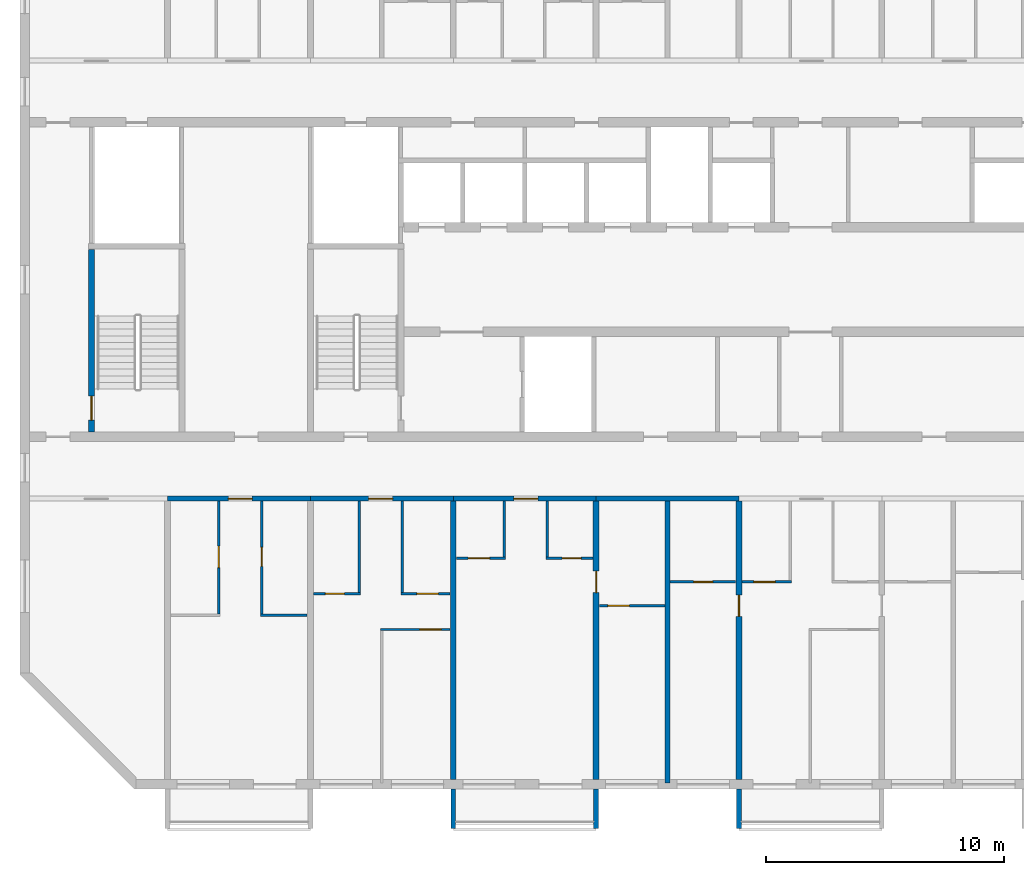
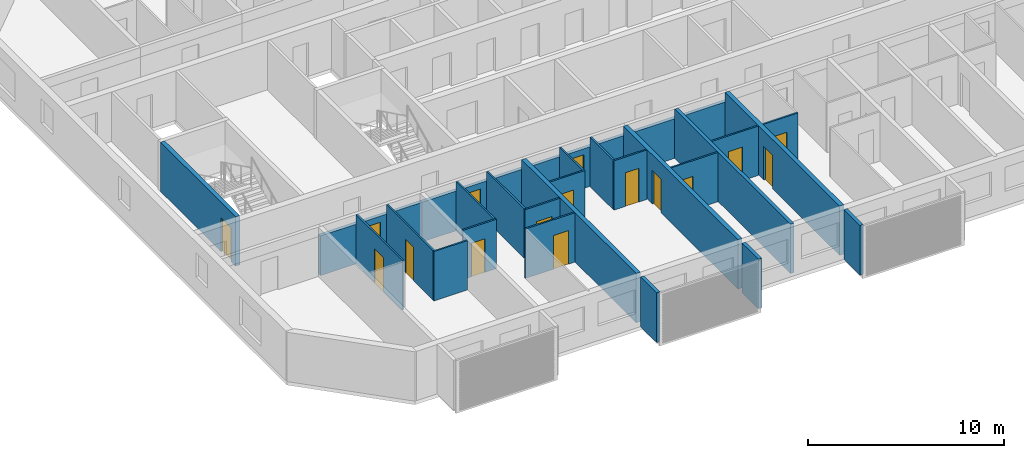
# One storey, part 2 of 26: 27 walls, 16 doors, 16 openings.
"""IFC4 building model written with IfcOpenShell, lengths in metres."""

from ifc_helpers import new_model, si_unit, direction, frame, frame_2d, origin, place, context, subcontext, project, spatial, polyline, rectangle, outline, extrude, source, transform, mapped, material, layer, layer_set, type_object, element, fill, save


model = new_model("IFC4")

# Units and contexts
model_context = context("Model", 3, precision=1e-05, world=origin(), true_north=direction((0.0, 1.0)))
body_context = subcontext(model_context, "Body", "Model", "MODEL_VIEW")
ifc_project = project(units=[si_unit("LENGTHUNIT", "METRE"), si_unit("AREAUNIT", "SQUARE_METRE"), si_unit("VOLUMEUNIT", "CUBIC_METRE"), si_unit("PLANEANGLEUNIT", "RADIAN"), si_unit("MASSUNIT", "GRAM", prefix="KILO")], contexts=[model_context])

# Site, building, storey
site_placement = place(None, origin())
site = spatial("IfcSite", under=ifc_project, at=site_placement, CompositionType="ELEMENT")
building_placement = place(site_placement, origin())
building = spatial("IfcBuilding", under=site, at=building_placement, Name="Poui Terraces", CompositionType="ELEMENT")
storey_placement = place(building_placement, frame((0.0, 0.0, 171.89990234375)))
storey = spatial("IfcBuildingStorey", under=building, at=storey_placement, Name="L47", CompositionType="ELEMENT", Elevation=171.89990234375)

# Wall, opening, door
ifc_material_1 = material(Name="Concrete 50 MPa", Category="concrete")
ifc_layer_1 = layer(ifc_material_1, 0.199951171875)
ifc_layer_set_1 = layer_set([ifc_layer_1], Name="Concrete 50 MPa")
wall_type_1 = type_object("IfcWallType", Name="CORRIDOR WALL 200 50MPa", PredefinedType="SHEAR", material=ifc_layer_set_1)
wall_1_placement = place(storey_placement, frame((24.0, 12.0, 0.0), z_axis=(0.0, 0.0, 1.0), x_axis=(1.0, 0.0, 0.0)))
wall_1 = element("IfcWall", 1, at=wall_1_placement, inside=storey, type_object=wall_type_1, Name="CORRIDOR WALL LINE B BAY 2", PredefinedType="SHEAR", context=body_context, shape_type="SweptSolid", body=[
    extrude(rectangle(XDim=6.0, YDim=0.199951171875, at=frame_2d((3.0, 0.0))), origin(), (0.0, 0.0, 1.0), 2.47998046875),
])
opening_1_placement = place(wall_1_placement, frame((2.550048828125, 0.0, 0.0)))
opening_1 = element("IfcOpeningElement", 2, at=opening_1_placement, cuts=wall_1, Name="Opening FD30S", PredefinedType="OPENING", context=body_context, shape_type="SweptSolid", body=[
    extrude(rectangle(XDim=1.0, YDim=2.10009765625, at=frame_2d((0.5, 1.050048828125))), frame((0.0, 0.10986328125, 0.0), z_axis=(0.0, -1.0, 0.0), x_axis=(1.0, 0.0, 0.0)), (0.0, 0.0, 1.0), 0.219970703125),
])
ifc_material_2 = material(Name="Steel fire door", Category="steel")
door_type_1 = type_object("IfcDoorType", Name="FLAT ENTRANCE DOOR 1000 X 2100", OperationType="NOTDEFINED", PredefinedType="DOOR", material=ifc_material_2)
door_1_placement = place(opening_1_placement, frame((1.0, 0.0, 0.0), z_axis=(0.0, 0.0, 1.0), x_axis=(-1.0, 0.0, 0.0)))
door_1 = element("IfcDoor", 3, at=door_1_placement, inside=storey, type_object=door_type_1, Name="FLAT ENTRANCE DOOR 064", OperationType="SINGLE_SWING_LEFT", OverallHeight=2.10009765625, OverallWidth=1.0, PredefinedType="DOOR", context=body_context, shape_type="SweptSolid", body=[
    extrude(rectangle(XDim=1.0, YDim=2.10009765625, at=frame_2d((0.5, 1.050048828125))), frame((0.0, 0.02490234375, 0.0), z_axis=(0.0, -1.0, 0.0), x_axis=(1.0, 0.0, 0.0)), (0.0, 0.0, 1.0), 0.050048828125),
])
fill(opening_1, door_1)

wall_2_placement = place(storey_placement, frame((30.0, 12.0, 0.0), z_axis=(0.0, 0.0, 1.0), x_axis=(1.0, 0.0, 0.0)))
wall_2 = element("IfcWall", 4, at=wall_2_placement, inside=storey, type_object=wall_type_1, Name="CORRIDOR WALL LINE B BAY 3", PredefinedType="SHEAR", context=body_context, shape_type="SweptSolid", body=[
    extrude(rectangle(XDim=6.0, YDim=0.199951171875, at=frame_2d((3.0, 0.0))), origin(), (0.0, 0.0, 1.0), 2.47998046875),
])
opening_2_placement = place(wall_2_placement, frame((2.449951171875, 0.0, 0.0)))
opening_2 = element("IfcOpeningElement", 5, at=opening_2_placement, cuts=wall_2, Name="Opening FD30S", PredefinedType="OPENING", context=body_context, shape_type="SweptSolid", body=[
    extrude(rectangle(XDim=1.0, YDim=2.10009765625, at=frame_2d((0.5, 1.050048828125))), frame((0.0, 0.10986328125, 0.0), z_axis=(0.0, -1.0, 0.0), x_axis=(1.0, 0.0, 0.0)), (0.0, 0.0, 1.0), 0.219970703125),
])
door_2_placement = place(opening_2_placement, frame((1.0, 0.0, 0.0), z_axis=(0.0, 0.0, 1.0), x_axis=(-1.0, 0.0, 0.0)))
door_2 = element("IfcDoor", 6, at=door_2_placement, inside=storey, type_object=door_type_1, Name="FLAT ENTRANCE DOOR 067", OperationType="SINGLE_SWING_RIGHT", OverallHeight=2.10009765625, OverallWidth=1.0, PredefinedType="DOOR", context=body_context, shape_type="SweptSolid", body=[
    extrude(rectangle(XDim=1.0, YDim=2.10009765625, at=frame_2d((0.5, 1.050048828125))), frame((0.0, 0.02490234375, 0.0), z_axis=(0.0, -1.0, 0.0), x_axis=(1.0, 0.0, 0.0)), (0.0, 0.0, 1.0), 0.050048828125),
])
fill(opening_2, door_2)

wall_3_placement = place(storey_placement, frame((36.0, 12.0, 0.0), z_axis=(0.0, 0.0, 1.0), x_axis=(1.0, 0.0, 0.0)))
wall_3 = element("IfcWall", 7, at=wall_3_placement, inside=storey, type_object=wall_type_1, Name="CORRIDOR WALL LINE B BAY 4", PredefinedType="SHEAR", context=body_context, shape_type="SweptSolid", body=[
    extrude(rectangle(XDim=6.0, YDim=0.199951171875, at=frame_2d((3.0, 0.0))), origin(), (0.0, 0.0, 1.0), 2.47998046875),
])
opening_3_placement = place(wall_3_placement, frame((2.550048828125, 0.0, 0.0)))
opening_3 = element("IfcOpeningElement", 8, at=opening_3_placement, cuts=wall_3, Name="Opening FD30S", PredefinedType="OPENING", context=body_context, shape_type="SweptSolid", body=[
    extrude(rectangle(XDim=1.0, YDim=2.10009765625, at=frame_2d((0.5, 1.050048828125))), frame((0.0, 0.10986328125, 0.0), z_axis=(0.0, -1.0, 0.0), x_axis=(1.0, 0.0, 0.0)), (0.0, 0.0, 1.0), 0.219970703125),
])
door_3_placement = place(opening_3_placement, frame((1.0, 0.0, 0.0), z_axis=(0.0, 0.0, 1.0), x_axis=(-1.0, 0.0, 0.0)))
door_3 = element("IfcDoor", 9, at=door_3_placement, inside=storey, type_object=door_type_1, Name="FLAT ENTRANCE DOOR 072", OperationType="SINGLE_SWING_LEFT", OverallHeight=2.10009765625, OverallWidth=1.0, PredefinedType="DOOR", context=body_context, shape_type="SweptSolid", body=[
    extrude(rectangle(XDim=1.0, YDim=2.10009765625, at=frame_2d((0.5, 1.050048828125))), frame((0.0, 0.02490234375, 0.0), z_axis=(0.0, -1.0, 0.0), x_axis=(1.0, 0.0, 0.0)), (0.0, 0.0, 1.0), 0.050048828125),
])
fill(opening_3, door_3)

# Walls
wall_4_placement = place(storey_placement, frame((42.0, 12.0, 0.0), z_axis=(0.0, 0.0, 1.0), x_axis=(1.0, 0.0, 0.0)))
element("IfcWall", 10, at=wall_4_placement, inside=storey, type_object=wall_type_1, Name="CORRIDOR WALL LINE B BAY 5", PredefinedType="SHEAR", context=body_context, shape_type="SweptSolid", body=[
    extrude(rectangle(XDim=6.0, YDim=0.199951171875, at=frame_2d((3.0, 0.0))), origin(), (0.0, 0.0, 1.0), 2.47998046875),
])
ifc_layer_2 = layer(ifc_material_1, 0.25)
ifc_layer_set_2 = layer_set([ifc_layer_2], Name="Concrete 50 MPa")
wall_type_2 = type_object("IfcWallType", Name="CROSS WALL 250 50MPa", PredefinedType="SHEAR", material=ifc_layer_set_2)
wall_5_placement = place(storey_placement, frame((36.0, 0.199951171875, 0.0), z_axis=(0.0, 0.0, 1.0), x_axis=(0.0, 1.0, 0.0)))
element("IfcWall", 11, at=wall_5_placement, inside=storey, type_object=wall_type_2, Name="CROSS WALL LINE 7 SOUTH", PredefinedType="SHEAR", context=body_context, shape_type="SweptSolid", body=[
    extrude(rectangle(XDim=11.699951171875, YDim=0.25, at=frame_2d((5.85009765625, 0.0))), origin(), (0.0, 0.0, 1.0), 3.080078125),
])

# Wall, opening, door
wall_6_placement = place(storey_placement, frame((42.0, 0.199951171875, 0.0), z_axis=(0.0, 0.0, 1.0), x_axis=(0.0, 1.0, 0.0)))
wall_6 = element("IfcWall", 12, at=wall_6_placement, inside=storey, type_object=wall_type_2, Name="CROSS WALL LINE 8 SOUTH", PredefinedType="SHEAR", context=body_context, shape_type="SweptSolid", body=[
    extrude(rectangle(XDim=11.699951171875, YDim=0.25, at=frame_2d((5.85009765625, 0.0))), origin(), (0.0, 0.0, 1.0), 3.080078125),
])
opening_4_placement = place(wall_6_placement, frame((7.85009765625, 0.0, 0.0)))
opening_4 = element("IfcOpeningElement", 13, at=opening_4_placement, cuts=wall_6, Name="Opening D90", PredefinedType="OPENING", context=body_context, shape_type="SweptSolid", body=[
    extrude(rectangle(XDim=0.89990234375, YDim=2.10009765625, at=frame_2d((0.449951171875, 1.050048828125))), frame((0.0, 0.135009765625, 0.0), z_axis=(0.0, -1.0, 0.0), x_axis=(1.0, 0.0, 0.0)), (0.0, 0.0, 1.0), 0.27001953125),
])
ifc_material_3 = material(Name="Solid core timber door", Category="wood")
door_type_2 = type_object("IfcDoorType", Name="INTERNAL DOOR 900 X 2100", OperationType="NOTDEFINED", PredefinedType="DOOR", material=ifc_material_3)
door_4_placement = place(opening_4_placement, origin())
door_4 = element("IfcDoor", 14, at=door_4_placement, inside=storey, type_object=door_type_2, Name="INTERNAL DOOR 074", OperationType="SINGLE_SWING_RIGHT", OverallHeight=2.10009765625, OverallWidth=0.89990234375, PredefinedType="DOOR", context=body_context, shape_type="SweptSolid", body=[
    extrude(rectangle(XDim=0.89990234375, YDim=2.10009765625, at=frame_2d((0.449951171875, 1.050048828125))), frame((0.0, 0.02490234375, 0.0), z_axis=(0.0, -1.0, 0.0), x_axis=(1.0, 0.0, 0.0)), (0.0, 0.0, 1.0), 0.050048828125),
])
fill(opening_4, door_4)

wall_7_placement = place(storey_placement, frame((48.0, 0.199951171875, 0.0), z_axis=(0.0, 0.0, 1.0), x_axis=(0.0, 1.0, 0.0)))
wall_7 = element("IfcWall", 15, at=wall_7_placement, inside=storey, type_object=wall_type_2, Name="CROSS WALL LINE 9 SOUTH", PredefinedType="SHEAR", context=body_context, shape_type="SweptSolid", body=[
    extrude(rectangle(XDim=11.699951171875, YDim=0.25, at=frame_2d((5.85009765625, 0.0))), origin(), (0.0, 0.0, 1.0), 3.080078125),
])
opening_5_placement = place(wall_7_placement, frame((6.85009765625, 0.0, 0.0)))
opening_5 = element("IfcOpeningElement", 16, at=opening_5_placement, cuts=wall_7, Name="Opening D90", PredefinedType="OPENING", context=body_context, shape_type="SweptSolid", body=[
    extrude(rectangle(XDim=0.89990234375, YDim=2.10009765625, at=frame_2d((0.449951171875, 1.050048828125))), frame((0.0, 0.135009765625, 0.0), z_axis=(0.0, -1.0, 0.0), x_axis=(1.0, 0.0, 0.0)), (0.0, 0.0, 1.0), 0.27001953125),
])
door_5_placement = place(opening_5_placement, origin())
door_5 = element("IfcDoor", 17, at=door_5_placement, inside=storey, type_object=door_type_2, Name="INTERNAL DOOR 077", OperationType="SINGLE_SWING_RIGHT", OverallHeight=2.10009765625, OverallWidth=0.89990234375, PredefinedType="DOOR", context=body_context, shape_type="SweptSolid", body=[
    extrude(rectangle(XDim=0.89990234375, YDim=2.10009765625, at=frame_2d((0.449951171875, 1.050048828125))), frame((0.0, 0.02490234375, 0.0), z_axis=(0.0, -1.0, 0.0), x_axis=(1.0, 0.0, 0.0)), (0.0, 0.0, 1.0), 0.050048828125),
])
fill(opening_5, door_5)

ifc_material_4 = material(Name="Plasterboard partition")
ifc_layer_3 = layer(ifc_material_4, 0.10009765625)
ifc_layer_set_3 = layer_set([ifc_layer_3], Name="Plasterboard partition")
wall_type_3 = type_object("IfcWallType", Name="FLAT PARTITION 100", PredefinedType="PARTITIONING", material=ifc_layer_set_3)
wall_8_placement = place(storey_placement, frame((32.949951171875, 6.5, 0.0), z_axis=(0.0, 0.0, 1.0), x_axis=(1.0, 0.0, 0.0)))
wall_8 = element("IfcWall", 18, at=wall_8_placement, inside=storey, type_object=wall_type_3, Name="FLAT PARTITION 100", PredefinedType="PARTITIONING", context=body_context, shape_type="SweptSolid", body=[
    extrude(rectangle(XDim=2.9150390625, YDim=0.10009765625, at=frame_2d((1.45751953125, 0.0))), origin(), (0.0, 0.0, 1.0), 3.080078125),
])
opening_6_placement = place(wall_8_placement, frame((1.64990234375, 0.0, 0.0)))
opening_6 = element("IfcOpeningElement", 19, at=opening_6_placement, cuts=wall_8, Name="Opening D90", PredefinedType="OPENING", context=body_context, shape_type="SweptSolid", body=[
    extrude(rectangle(XDim=0.89990234375, YDim=2.10009765625, at=frame_2d((0.449951171875, 1.050048828125))), frame((0.0, 0.06005859375, 0.0), z_axis=(0.0, -1.0, 0.0), x_axis=(1.0, 0.0, 0.0)), (0.0, 0.0, 1.0), 0.1201171875),
])
door_6_placement = place(opening_6_placement, origin())
door_6 = element("IfcDoor", 20, at=door_6_placement, inside=storey, type_object=door_type_2, Name="INTERNAL DOOR 069", OperationType="SINGLE_SWING_LEFT", OverallHeight=2.10009765625, OverallWidth=0.89990234375, PredefinedType="DOOR", context=body_context, shape_type="SweptSolid", body=[
    extrude(rectangle(XDim=0.89990234375, YDim=2.10009765625, at=frame_2d((0.449951171875, 1.050048828125))), frame((0.0, 0.02490234375, 0.0), z_axis=(0.0, -1.0, 0.0), x_axis=(1.0, 0.0, 0.0)), (0.0, 0.0, 1.0), 0.050048828125),
])
fill(opening_6, door_6)

# Wall
wall_9_placement = place(storey_placement, frame((27.89990234375, 7.10009765625, 0.0), z_axis=(0.0, 0.0, 1.0), x_axis=(1.0, 0.0, 0.0)))
element("IfcWall", 21, at=wall_9_placement, inside=storey, type_object=wall_type_3, Name="FLAT PARTITION 100", PredefinedType="PARTITIONING", context=body_context, shape_type="SweptSolid", body=[
    extrude(rectangle(XDim=1.965087890625, YDim=0.10009765625, at=frame_2d((0.982421875, 0.0))), origin(), (0.0, 0.0, 1.0), 3.080078125),
])

# Wall, opening, door
wall_10_placement = place(storey_placement, frame((42.135009765625, 7.5, 0.0), z_axis=(0.0, 0.0, 1.0), x_axis=(1.0, 0.0, 0.0)))
wall_10 = element("IfcWall", 22, at=wall_10_placement, inside=storey, type_object=wall_type_3, Name="FLAT PARTITION 100", PredefinedType="PARTITIONING", context=body_context, shape_type="SweptSolid", body=[
    extrude(rectangle(XDim=2.764892578125, YDim=0.10009765625, at=frame_2d((1.38232421875, 0.0))), origin(), (0.0, 0.0, 1.0), 3.080078125),
])
opening_7_placement = place(wall_10_placement, frame((0.364990234375, 0.0, 0.0)))
opening_7 = element("IfcOpeningElement", 23, at=opening_7_placement, cuts=wall_10, Name="Opening D90", PredefinedType="OPENING", context=body_context, shape_type="SweptSolid", body=[
    extrude(rectangle(XDim=0.89990234375, YDim=2.10009765625, at=frame_2d((0.449951171875, 1.050048828125))), frame((0.0, 0.06005859375, 0.0), z_axis=(0.0, -1.0, 0.0), x_axis=(1.0, 0.0, 0.0)), (0.0, 0.0, 1.0), 0.1201171875),
])
door_7_placement = place(opening_7_placement, frame((0.89990234375, 0.0, 0.0), z_axis=(0.0, 0.0, 1.0), x_axis=(-1.0, 0.0, 0.0)))
door_7 = element("IfcDoor", 24, at=door_7_placement, inside=storey, type_object=door_type_2, Name="INTERNAL DOOR 070", OperationType="SINGLE_SWING_RIGHT", OverallHeight=2.10009765625, OverallWidth=0.89990234375, PredefinedType="DOOR", context=body_context, shape_type="SweptSolid", body=[
    extrude(rectangle(XDim=0.89990234375, YDim=2.10009765625, at=frame_2d((0.449951171875, 1.050048828125))), frame((0.0, 0.02490234375, 0.0), z_axis=(0.0, -1.0, 0.0), x_axis=(1.0, 0.0, 0.0)), (0.0, 0.0, 1.0), 0.050048828125),
])
fill(opening_7, door_7)

wall_11_placement = place(storey_placement, frame((30.135009765625, 8.0, 0.0), z_axis=(0.0, 0.0, 1.0), x_axis=(1.0, 0.0, 0.0)))
wall_11 = element("IfcWall", 25, at=wall_11_placement, inside=storey, type_object=wall_type_3, Name="FLAT PARTITION 100", PredefinedType="PARTITIONING", context=body_context, shape_type="SweptSolid", body=[
    extrude(rectangle(XDim=1.965087890625, YDim=0.10009765625, at=frame_2d((0.982421875, 0.0))), origin(), (0.0, 0.0, 1.0), 3.080078125),
])
opening_8_placement = place(wall_11_placement, frame((0.489990234375, 0.0, 0.0)))
opening_8 = element("IfcOpeningElement", 26, at=opening_8_placement, cuts=wall_11, Name="Opening D80", PredefinedType="OPENING", context=body_context, shape_type="SweptSolid", body=[
    extrude(rectangle(XDim=0.800048828125, YDim=2.10009765625, at=frame_2d((0.39990234375, 1.050048828125))), frame((0.0, 0.06005859375, 0.0), z_axis=(0.0, -1.0, 0.0), x_axis=(1.0, 0.0, 0.0)), (0.0, 0.0, 1.0), 0.1201171875),
])
door_type_3 = type_object("IfcDoorType", Name="BATHROOM, LAUNDRY AND STORE DOOR 800 X 2100", OperationType="NOTDEFINED", PredefinedType="DOOR", material=ifc_material_3)
door_8_placement = place(opening_8_placement, origin())
door_8 = element("IfcDoor", 27, at=door_8_placement, inside=storey, type_object=door_type_3, Name="BATHROOM, LAUNDRY AND STORE DOOR 066", OperationType="SINGLE_SWING_LEFT", OverallHeight=2.10009765625, OverallWidth=0.800048828125, PredefinedType="DOOR", context=body_context, shape_type="SweptSolid", body=[
    extrude(rectangle(XDim=0.800048828125, YDim=2.10009765625, at=frame_2d((0.39990234375, 1.050048828125))), frame((0.0, 0.02490234375, 0.0), z_axis=(0.0, -1.0, 0.0), x_axis=(1.0, 0.0, 0.0)), (0.0, 0.0, 1.0), 0.050048828125),
])
fill(opening_8, door_8)

wall_12_placement = place(storey_placement, frame((33.800048828125, 8.0, 0.0), z_axis=(0.0, 0.0, 1.0), x_axis=(1.0, 0.0, 0.0)))
wall_12 = element("IfcWall", 28, at=wall_12_placement, inside=storey, type_object=wall_type_3, Name="FLAT PARTITION 100", PredefinedType="PARTITIONING", context=body_context, shape_type="SweptSolid", body=[
    extrude(rectangle(XDim=2.06494140625, YDim=0.10009765625, at=frame_2d((1.032470703125, 0.0))), origin(), (0.0, 0.0, 1.0), 3.080078125),
])
opening_9_placement = place(wall_12_placement, frame((0.675048828125, 0.0, 0.0)))
opening_9 = element("IfcOpeningElement", 29, at=opening_9_placement, cuts=wall_12, Name="Opening D90", PredefinedType="OPENING", context=body_context, shape_type="SweptSolid", body=[
    extrude(rectangle(XDim=0.89990234375, YDim=2.10009765625, at=frame_2d((0.449951171875, 1.050048828125))), frame((0.0, 0.06005859375, 0.0), z_axis=(0.0, -1.0, 0.0), x_axis=(1.0, 0.0, 0.0)), (0.0, 0.0, 1.0), 0.1201171875),
])
door_9_placement = place(opening_9_placement, origin())
door_9 = element("IfcDoor", 30, at=door_9_placement, inside=storey, type_object=door_type_2, Name="INTERNAL DOOR 068", OperationType="SINGLE_SWING_RIGHT", OverallHeight=2.10009765625, OverallWidth=0.89990234375, PredefinedType="DOOR", context=body_context, shape_type="SweptSolid", body=[
    extrude(rectangle(XDim=0.89990234375, YDim=2.10009765625, at=frame_2d((0.449951171875, 1.050048828125))), frame((0.0, 0.02490234375, 0.0), z_axis=(0.0, -1.0, 0.0), x_axis=(1.0, 0.0, 0.0)), (0.0, 0.0, 1.0), 0.050048828125),
])
fill(opening_9, door_9)

wall_13_placement = place(storey_placement, frame((45.10009765625, 8.5, 0.0), z_axis=(0.0, 0.0, 1.0), x_axis=(1.0, 0.0, 0.0)))
wall_13 = element("IfcWall", 31, at=wall_13_placement, inside=storey, type_object=wall_type_3, Name="FLAT PARTITION 100", PredefinedType="PARTITIONING", context=body_context, shape_type="SweptSolid", body=[
    extrude(rectangle(XDim=2.764892578125, YDim=0.10009765625, at=frame_2d((1.38232421875, 0.0))), origin(), (0.0, 0.0, 1.0), 3.080078125),
])
opening_10_placement = place(wall_13_placement, frame((1.0, 0.0, 0.0)))
opening_10 = element("IfcOpeningElement", 32, at=opening_10_placement, cuts=wall_13, Name="Opening D80", PredefinedType="OPENING", context=body_context, shape_type="SweptSolid", body=[
    extrude(rectangle(XDim=0.800048828125, YDim=2.10009765625, at=frame_2d((0.39990234375, 1.050048828125))), frame((0.0, 0.06005859375, 0.0), z_axis=(0.0, -1.0, 0.0), x_axis=(1.0, 0.0, 0.0)), (0.0, 0.0, 1.0), 0.1201171875),
])
door_10_placement = place(opening_10_placement, origin())
door_10 = element("IfcDoor", 33, at=door_10_placement, inside=storey, type_object=door_type_3, Name="BATHROOM, LAUNDRY AND STORE DOOR 075", OperationType="SINGLE_SWING_LEFT", OverallHeight=2.10009765625, OverallWidth=0.800048828125, PredefinedType="DOOR", context=body_context, shape_type="SweptSolid", body=[
    extrude(rectangle(XDim=0.800048828125, YDim=2.10009765625, at=frame_2d((0.39990234375, 1.050048828125))), frame((0.0, 0.02490234375, 0.0), z_axis=(0.0, -1.0, 0.0), x_axis=(1.0, 0.0, 0.0)), (0.0, 0.0, 1.0), 0.050048828125),
])
fill(opening_10, door_10)

wall_14_placement = place(storey_placement, frame((48.135009765625, 8.5, 0.0), z_axis=(0.0, 0.0, 1.0), x_axis=(1.0, 0.0, 0.0)))
wall_14 = element("IfcWall", 34, at=wall_14_placement, inside=storey, type_object=wall_type_3, Name="FLAT PARTITION 100", PredefinedType="PARTITIONING", context=body_context, shape_type="SweptSolid", body=[
    extrude(rectangle(XDim=2.06494140625, YDim=0.10009765625, at=frame_2d((1.032470703125, 0.0))), origin(), (0.0, 0.0, 1.0), 3.080078125),
])
opening_11_placement = place(wall_14_placement, frame((0.489990234375, 0.0, 0.0)))
opening_11 = element("IfcOpeningElement", 35, at=opening_11_placement, cuts=wall_14, Name="Opening D90", PredefinedType="OPENING", context=body_context, shape_type="SweptSolid", body=[
    extrude(rectangle(XDim=0.89990234375, YDim=2.10009765625, at=frame_2d((0.449951171875, 1.050048828125))), frame((0.0, 0.06005859375, 0.0), z_axis=(0.0, -1.0, 0.0), x_axis=(1.0, 0.0, 0.0)), (0.0, 0.0, 1.0), 0.1201171875),
])
door_11_placement = place(opening_11_placement, origin())
door_11 = element("IfcDoor", 36, at=door_11_placement, inside=storey, type_object=door_type_2, Name="INTERNAL DOOR 078", OperationType="SINGLE_SWING_LEFT", OverallHeight=2.10009765625, OverallWidth=0.89990234375, PredefinedType="DOOR", context=body_context, shape_type="SweptSolid", body=[
    extrude(rectangle(XDim=0.89990234375, YDim=2.10009765625, at=frame_2d((0.449951171875, 1.050048828125))), frame((0.0, 0.02490234375, 0.0), z_axis=(0.0, -1.0, 0.0), x_axis=(1.0, 0.0, 0.0)), (0.0, 0.0, 1.0), 0.050048828125),
])
fill(opening_11, door_11)

wall_15_placement = place(storey_placement, frame((36.135009765625, 9.5, 0.0), z_axis=(0.0, 0.0, 1.0), x_axis=(1.0, 0.0, 0.0)))
wall_15 = element("IfcWall", 37, at=wall_15_placement, inside=storey, type_object=wall_type_3, Name="FLAT PARTITION 100", PredefinedType="PARTITIONING", context=body_context, shape_type="SweptSolid", body=[
    extrude(rectangle(XDim=2.06494140625, YDim=0.10009765625, at=frame_2d((1.032470703125, 0.0))), origin(), (0.0, 0.0, 1.0), 3.080078125),
])
opening_12_placement = place(wall_15_placement, frame((0.489990234375, 0.0, 0.0)))
opening_12 = element("IfcOpeningElement", 38, at=opening_12_placement, cuts=wall_15, Name="Opening D90", PredefinedType="OPENING", context=body_context, shape_type="SweptSolid", body=[
    extrude(rectangle(XDim=0.89990234375, YDim=2.10009765625, at=frame_2d((0.449951171875, 1.050048828125))), frame((0.0, 0.06005859375, 0.0), z_axis=(0.0, -1.0, 0.0), x_axis=(1.0, 0.0, 0.0)), (0.0, 0.0, 1.0), 0.1201171875),
])
door_12_placement = place(opening_12_placement, origin())
door_12 = element("IfcDoor", 39, at=door_12_placement, inside=storey, type_object=door_type_2, Name="INTERNAL DOOR 071", OperationType="SINGLE_SWING_LEFT", OverallHeight=2.10009765625, OverallWidth=0.89990234375, PredefinedType="DOOR", context=body_context, shape_type="SweptSolid", body=[
    extrude(rectangle(XDim=0.89990234375, YDim=2.10009765625, at=frame_2d((0.449951171875, 1.050048828125))), frame((0.0, 0.02490234375, 0.0), z_axis=(0.0, -1.0, 0.0), x_axis=(1.0, 0.0, 0.0)), (0.0, 0.0, 1.0), 0.050048828125),
])
fill(opening_12, door_12)

wall_16_placement = place(storey_placement, frame((39.89990234375, 9.5, 0.0), z_axis=(0.0, 0.0, 1.0), x_axis=(1.0, 0.0, 0.0)))
wall_16 = element("IfcWall", 40, at=wall_16_placement, inside=storey, type_object=wall_type_3, Name="FLAT PARTITION 100", PredefinedType="PARTITIONING", context=body_context, shape_type="SweptSolid", body=[
    extrude(rectangle(XDim=1.965087890625, YDim=0.10009765625, at=frame_2d((0.982421875, 0.0))), origin(), (0.0, 0.0, 1.0), 3.080078125),
])
opening_13_placement = place(wall_16_placement, frame((0.675048828125, 0.0, 0.0)))
opening_13 = element("IfcOpeningElement", 41, at=opening_13_placement, cuts=wall_16, Name="Opening D80", PredefinedType="OPENING", context=body_context, shape_type="SweptSolid", body=[
    extrude(rectangle(XDim=0.800048828125, YDim=2.10009765625, at=frame_2d((0.39990234375, 1.050048828125))), frame((0.0, 0.06005859375, 0.0), z_axis=(0.0, -1.0, 0.0), x_axis=(1.0, 0.0, 0.0)), (0.0, 0.0, 1.0), 0.1201171875),
])
door_13_placement = place(opening_13_placement, origin())
door_13 = element("IfcDoor", 42, at=door_13_placement, inside=storey, type_object=door_type_3, Name="BATHROOM, LAUNDRY AND STORE DOOR 073", OperationType="SINGLE_SWING_RIGHT", OverallHeight=2.10009765625, OverallWidth=0.800048828125, PredefinedType="DOOR", context=body_context, shape_type="SweptSolid", body=[
    extrude(rectangle(XDim=0.800048828125, YDim=2.10009765625, at=frame_2d((0.39990234375, 1.050048828125))), frame((0.0, 0.02490234375, 0.0), z_axis=(0.0, -1.0, 0.0), x_axis=(1.0, 0.0, 0.0)), (0.0, 0.0, 1.0), 0.050048828125),
])
fill(opening_13, door_13)

wall_17_placement = place(storey_placement, frame((26.14990234375, 7.14990234375, 0.0), z_axis=(0.0, 0.0, 1.0), x_axis=(0.0, 1.0, 0.0)))
wall_17 = element("IfcWall", 43, at=wall_17_placement, inside=storey, type_object=wall_type_3, Name="FLAT PARTITION 100", PredefinedType="PARTITIONING", context=body_context, shape_type="SweptSolid", body=[
    extrude(rectangle(XDim=4.739990234375, YDim=0.10009765625, at=frame_2d((2.3701171875, 0.0))), origin(), (0.0, 0.0, 1.0), 3.080078125),
])
opening_14_placement = place(wall_17_placement, frame((1.949951171875, 0.0, 0.0)))
opening_14 = element("IfcOpeningElement", 44, at=opening_14_placement, cuts=wall_17, Name="Opening D90", PredefinedType="OPENING", context=body_context, shape_type="SweptSolid", body=[
    extrude(rectangle(XDim=0.89990234375, YDim=2.10009765625, at=frame_2d((0.449951171875, 1.050048828125))), frame((0.0, 0.06005859375, 0.0), z_axis=(0.0, -1.0, 0.0), x_axis=(1.0, 0.0, 0.0)), (0.0, 0.0, 1.0), 0.1201171875),
])
door_14_placement = place(opening_14_placement, origin())
door_14 = element("IfcDoor", 45, at=door_14_placement, inside=storey, type_object=door_type_2, Name="INTERNAL DOOR 063", OperationType="SINGLE_SWING_LEFT", OverallHeight=2.10009765625, OverallWidth=0.89990234375, PredefinedType="DOOR", context=body_context, shape_type="SweptSolid", body=[
    extrude(rectangle(XDim=0.89990234375, YDim=2.10009765625, at=frame_2d((0.449951171875, 1.050048828125))), frame((0.0, 0.02490234375, 0.0), z_axis=(0.0, -1.0, 0.0), x_axis=(1.0, 0.0, 0.0)), (0.0, 0.0, 1.0), 0.050048828125),
])
fill(opening_14, door_14)

wall_18_placement = place(storey_placement, frame((27.949951171875, 7.14990234375, 0.0), z_axis=(0.0, 0.0, 1.0), x_axis=(0.0, 1.0, 0.0)))
wall_18 = element("IfcWall", 46, at=wall_18_placement, inside=storey, type_object=wall_type_3, Name="FLAT PARTITION 100", PredefinedType="PARTITIONING", context=body_context, shape_type="SweptSolid", body=[
    extrude(rectangle(XDim=4.739990234375, YDim=0.10009765625, at=frame_2d((2.3701171875, 0.0))), origin(), (0.0, 0.0, 1.0), 3.080078125),
])
opening_15_placement = place(wall_18_placement, frame((2.0, 0.0, 0.0)))
opening_15 = element("IfcOpeningElement", 47, at=opening_15_placement, cuts=wall_18, Name="Opening D80", PredefinedType="OPENING", context=body_context, shape_type="SweptSolid", body=[
    extrude(rectangle(XDim=0.800048828125, YDim=2.10009765625, at=frame_2d((0.39990234375, 1.050048828125))), frame((0.0, 0.06005859375, 0.0), z_axis=(0.0, -1.0, 0.0), x_axis=(1.0, 0.0, 0.0)), (0.0, 0.0, 1.0), 0.1201171875),
])
door_15_placement = place(opening_15_placement, frame((0.800048828125, 0.0, 0.0), z_axis=(0.0, 0.0, 1.0), x_axis=(-1.0, 0.0, 0.0)))
door_15 = element("IfcDoor", 48, at=door_15_placement, inside=storey, type_object=door_type_3, Name="BATHROOM, LAUNDRY AND STORE DOOR 065", OperationType="SINGLE_SWING_LEFT", OverallHeight=2.10009765625, OverallWidth=0.800048828125, PredefinedType="DOOR", context=body_context, shape_type="SweptSolid", body=[
    extrude(rectangle(XDim=0.800048828125, YDim=2.10009765625, at=frame_2d((0.39990234375, 1.050048828125))), frame((0.0, 0.02490234375, 0.0), z_axis=(0.0, -1.0, 0.0), x_axis=(1.0, 0.0, 0.0)), (0.0, 0.0, 1.0), 0.050048828125),
])
fill(opening_15, door_15)

# Walls
for number, where, z_axis, x_axis, name in (
    (49, (32.050048828125, 8.050048828125, 0.0), (0.0, 0.0, 1.0), (0.0, 1.0, 0.0), "FLAT PARTITION 100"),
    (50, (33.85009765625, 8.050048828125, 0.0), (0.0, 0.0, 1.0), (0.0, 1.0, 0.0), "FLAT PARTITION 100"),
):
    element("IfcWall", number, at=place(storey_placement, frame(where, z_axis=z_axis, x_axis=x_axis)), inside=storey, type_object=wall_type_3, Name=name, PredefinedType="PARTITIONING", context=body_context, shape_type="SweptSolid", body=[
        extrude(rectangle(XDim=3.83984375, YDim=0.10009765625, at=frame_2d((1.919921875, 0.0))), origin(), (0.0, 0.0, 1.0), 3.080078125),
    ])
for number, where, z_axis, x_axis, name in (
    (51, (38.14990234375, 9.550048828125, 0.0), (0.0, 0.0, 1.0), (0.0, 1.0, 0.0), "FLAT PARTITION 100"),
    (52, (39.949951171875, 9.550048828125, 0.0), (0.0, 0.0, 1.0), (0.0, 1.0, 0.0), "FLAT PARTITION 100"),
):
    element("IfcWall", number, at=place(storey_placement, frame(where, z_axis=z_axis, x_axis=x_axis)), inside=storey, type_object=wall_type_3, Name=name, PredefinedType="PARTITIONING", context=body_context, shape_type="SweptSolid", body=[
        extrude(rectangle(XDim=2.33984375, YDim=0.10009765625, at=frame_2d((1.169921875, 0.0))), origin(), (0.0, 0.0, 1.0), 3.080078125),
    ])
ifc_material_5 = material(Name="Fire-rated masonry wall", Category="masonry")
ifc_layer_4 = layer(ifc_material_5, 0.199951171875)
ifc_layer_set_4 = layer_set([ifc_layer_4], Name="Fire-rated masonry wall")
wall_type_4 = type_object("IfcWallType", Name="FLAT PARTY WALL 200", PredefinedType="PARTITIONING", material=ifc_layer_set_4)
wall_19_placement = place(storey_placement, frame((45.0, 0.06005859375, 0.0), z_axis=(0.0, 0.0, 1.0), x_axis=(0.0, 1.0, 0.0)))
element("IfcWall", 53, at=wall_19_placement, inside=storey, type_object=wall_type_4, Name="FLAT PARTY WALL 200", PredefinedType="PARTITIONING", context=body_context, shape_type="SweptSolid", body=[
    extrude(rectangle(XDim=11.829833984375, YDim=0.199951171875, at=frame_2d((5.9150390625, 0.0))), origin(), (0.0, 0.0, 1.0), 3.080078125),
])

# Wall, opening, door
ifc_layer_5 = layer(ifc_material_1, 0.25)
ifc_layer_set_5 = layer_set([ifc_layer_5], Name="Concrete 50 MPa")
wall_type_5 = type_object("IfcWallType", Name="STAIR CORE WALL 250 50 MPA", PredefinedType="SOLIDWALL", material=ifc_layer_set_5)
wall_20_placement = place(storey_placement, frame((20.800048828125, 14.800048828125, 0.0), z_axis=(0.0, 0.0, 1.0), x_axis=(0.0, 1.0, 0.0)))
wall_20 = element("IfcWall", 54, at=wall_20_placement, inside=storey, type_object=wall_type_5, Name="STAIR CORE WALL", PredefinedType="SOLIDWALL", context=body_context, shape_type="SweptSolid", body=[
    extrude(rectangle(XDim=7.675048828125, YDim=0.25, at=frame_2d((3.83740234375, 0.0))), origin(), (0.0, 0.0, 1.0), 3.080078125),
])
opening_16_placement = place(wall_20_placement, frame((0.5, 0.0, 0.0)))
opening_16 = element("IfcOpeningElement", 55, at=opening_16_placement, cuts=wall_20, Name="Opening FD60S", PredefinedType="OPENING", context=body_context, shape_type="SweptSolid", body=[
    extrude(rectangle(XDim=1.0, YDim=2.10009765625, at=frame_2d((0.5, 1.050048828125))), frame((0.0, 0.135009765625, 0.0), z_axis=(0.0, -1.0, 0.0), x_axis=(1.0, 0.0, 0.0)), (0.0, 0.0, 1.0), 0.27001953125),
])
door_type_4 = type_object("IfcDoorType", Name="STAIR DOOR 1000 X 2100", OperationType="NOTDEFINED", PredefinedType="DOOR", material=ifc_material_2)
door_16_placement = place(opening_16_placement, frame((1.0, 0.0, 0.0), z_axis=(0.0, 0.0, 1.0), x_axis=(-1.0, 0.0, 0.0)))
door_16 = element("IfcDoor", 56, at=door_16_placement, inside=storey, type_object=door_type_4, Name="STAIR DOOR 111", OperationType="SINGLE_SWING_RIGHT", OverallHeight=2.10009765625, OverallWidth=1.0, PredefinedType="DOOR", context=body_context, shape_type="SweptSolid", body=[
    extrude(rectangle(XDim=1.0, YDim=2.10009765625, at=frame_2d((0.5, 1.050048828125))), frame((0.0, 0.02490234375, 0.0), z_axis=(0.0, -1.0, 0.0), x_axis=(1.0, 0.0, 0.0)), (0.0, 0.0, 1.0), 0.050048828125),
])
fill(opening_16, door_16)

# Walls
ifc_material_6 = material(Name="Precast concrete 40 MPa", Category="concrete")
ifc_layer_6 = layer(ifc_material_6, 0.199951171875)
ifc_layer_set_6 = layer_set([ifc_layer_6], Name="Precast concrete 40 MPa")
wall_type_6 = type_object("IfcWallType", Name="REAR FIN 200", PredefinedType="STANDARD", material=ifc_layer_set_6)
shared_shape = source(origin(), body_context, "Body", "SweptSolid", [
    extrude(outline(polyline([(0.0, 0.0), (0.2001953125, 0.0), (0.2001953125, 1.650146484375), (0.0, 1.650146484375), (0.0, 0.0)])), origin(), (0.0, 0.0, 1.0), 3.10009765625),
])
for number, where, name in (
    (57, (35.89990234375, -1.85009765625, 0.0), "REAR FIN"),
    (58, (41.89990234375, -1.85009765625, 0.0), "REAR FIN"),
    (59, (47.89990234375, -1.85009765625, 0.0), "REAR FIN"),
):
    element("IfcWall", number, at=place(storey_placement, frame(where)), inside=storey, type_object=wall_type_6, Name=name, PredefinedType="STANDARD", context=body_context, shape_type="MappedRepresentation", body=[
        mapped(shared_shape, transform((0.0, 0.0, 0.0))),
    ])

save(model, "model.ifc")
